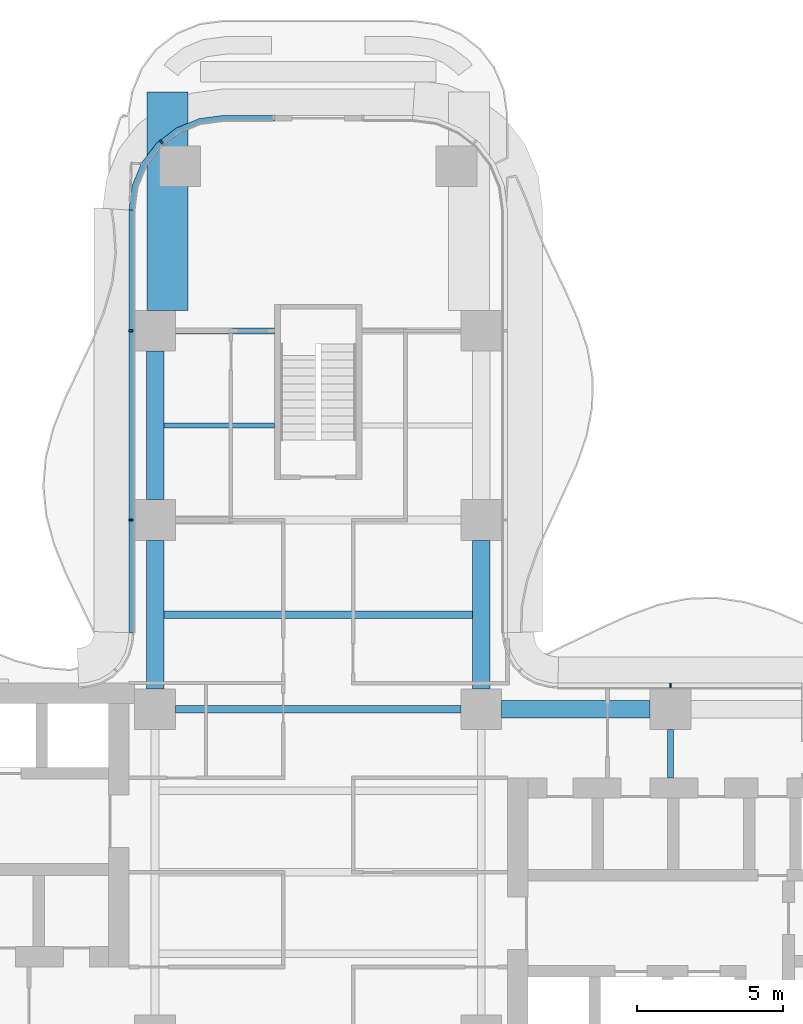
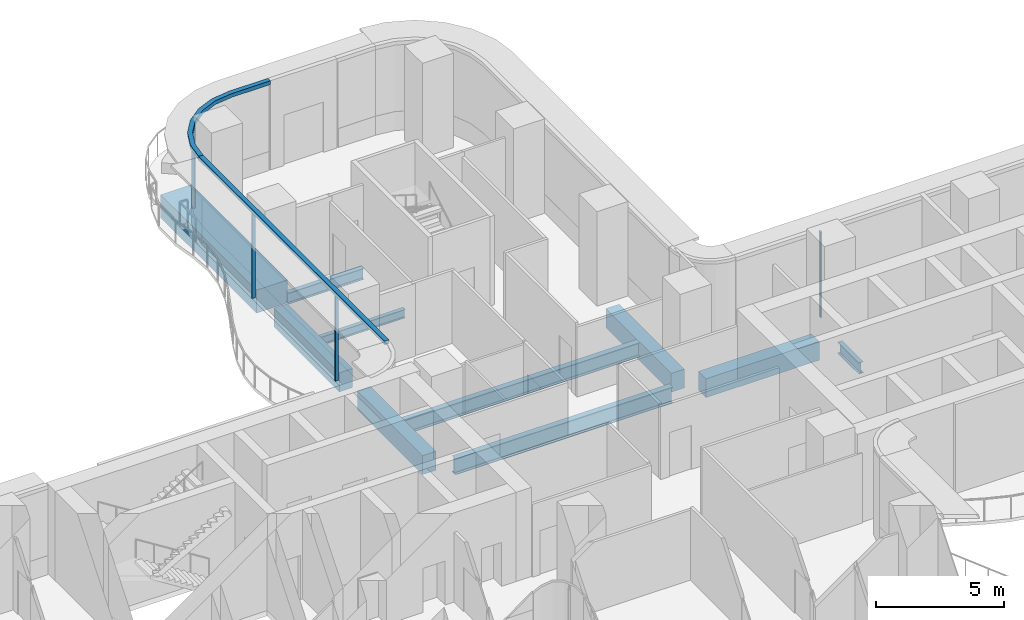
# One storey, part 9 of 22: 10 beams, 6 members, 3 elements without a shape of their own.
"""IFC4 building model written with IfcOpenShell, lengths in metres."""

from ifc_helpers import new_model, si_unit, direction, frame, origin, origin_2d, place, context, subcontext, project, spatial, polyline, rectangle, i_section, outline, extrude, source, transform, mapped, material, layer, layer_set, material_profile, profile_set, type_object, element, aggregate, save


model = new_model("IFC4")

# Units and contexts
model_context = context("Model", 3, precision=1e-05, world=origin(), true_north=direction((0.0, 1.0)))
body_context = subcontext(model_context, "Body", "Model", "MODEL_VIEW")
ifc_project = project(units=[si_unit("LENGTHUNIT", "METRE"), si_unit("AREAUNIT", "SQUARE_METRE"), si_unit("VOLUMEUNIT", "CUBIC_METRE"), si_unit("PLANEANGLEUNIT", "RADIAN"), si_unit("MASSUNIT", "GRAM", prefix="KILO")], contexts=[model_context])

# Site, building, storey
site_placement = place(None, origin())
site = spatial("IfcSite", under=ifc_project, at=site_placement, CompositionType="ELEMENT")
building_placement = place(site_placement, origin())
building = spatial("IfcBuilding", under=site, at=building_placement, Name="Trellis Farm Tower", CompositionType="ELEMENT")
storey_placement = place(building_placement, frame((0.0, 0.0, 61.0)))
storey = spatial("IfcBuildingStorey", under=building, at=storey_placement, Name="L12", CompositionType="ELEMENT", Elevation=61.0)

# Beams
ifc_material_1 = material(Name="Steel S355", Category="steel")
ifc_material_profile_1 = material_profile(ifc_material_1, i_section(OverallWidth=0.209228515625, OverallDepth=0.533203125, WebThickness=0.010009765625, FlangeThickness=0.015625, FilletRadius=0.0126953125, at=origin_2d()), Name="UB 533x210x92")
ifc_profile_set_1 = profile_set([ifc_material_profile_1], Name="Steel S355")
beam_type_1 = type_object("IfcBeamType", Name="UB 533x210x92", PredefinedType="BEAM", material=ifc_profile_set_1)
shared_shape_1 = source(origin(), body_context, "Body", "SweptSolid", [
    extrude(i_section(OverallWidth=0.209228515625, OverallDepth=0.533203125, WebThickness=0.010009765625, FlangeThickness=0.015625, FilletRadius=0.0126953125, at=origin_2d()), origin(), (0.0, 0.0, 1.0), 3.39990234375),
])
beam_1_placement = place(storey_placement, frame((-4.89990234375, 18.60009765625, -0.5166015625), z_axis=(1.0, 0.0, 0.0), x_axis=(0.0, 1.0, 0.0)))
element("IfcBeam", 1, at=beam_1_placement, inside=storey, type_object=beam_type_1, Name="Girder", PredefinedType="BEAM", context=body_context, shape_type="MappedRepresentation", body=[
    mapped(shared_shape_1, transform((0.0, 0.0, 0.0))),
])
ifc_material_2 = material(Name="Concrete C60/75", Category="concrete")
ifc_material_profile_2 = material_profile(ifc_material_2, rectangle(XDim=0.60009765625, YDim=0.89990234375, at=origin_2d()), Name="RC spandrel beam 600x900 C60/75")
ifc_profile_set_2 = profile_set([ifc_material_profile_2], Name="Concrete C60/75")
beam_type_2 = type_object("IfcBeamType", Name="RC spandrel beam 600x900 C60/75", PredefinedType="SPANDREL", material=ifc_profile_set_2)
shared_shape_2 = source(origin(), body_context, "Body", "SweptSolid", [
    extrude(rectangle(XDim=0.60009765625, YDim=0.89990234375, at=origin_2d()), origin(), (0.0, 0.0, 1.0), 5.099853515625),
])
for number, where, z_axis, x_axis, name in (
    (2, (6.300048828125, 5.60009765625, -0.699951171875), (1.0, 0.0, 0.0), (0.0, 1.0, 0.0), "Girder"),
    (3, (-5.60009765625, 6.300048828125, -0.699951171875), (0.0, 1.0, 0.0), (-1.0, 0.0, 0.0), "Girder"),
    (4, (-5.60009765625, 12.800048828125, -0.699951171875), (0.0, 1.0, 0.0), (-1.0, 0.0, 0.0), "Girder"),
    (5, (5.60009765625, 6.300048828125, -0.699951171875), (0.0, 1.0, 0.0), (-1.0, 0.0, 0.0), "Girder"),
):
    element("IfcBeam", number, at=place(storey_placement, frame(where, z_axis=z_axis, x_axis=x_axis)), inside=storey, type_object=beam_type_2, Name=name, PredefinedType="SPANDREL", context=body_context, shape_type="MappedRepresentation", body=[
        mapped(shared_shape_2, transform((0.0, 0.0, 0.0))),
    ])
ifc_material_profile_3 = material_profile(ifc_material_1, i_section(OverallWidth=0.2666015625, OverallDepth=0.76220703125, WebThickness=0.014404296875, FlangeThickness=0.021484375, FilletRadius=0.0166015625, at=origin_2d()), Name="UB 762x267x173")
ifc_profile_set_3 = profile_set([ifc_material_profile_3], Name="Steel S355")
beam_type_3 = type_object("IfcBeamType", Name="UB 762x267x173", PredefinedType="BEAM", material=ifc_profile_set_3)
shared_shape_3 = source(origin(), body_context, "Body", "SweptSolid", [
    extrude(i_section(OverallWidth=0.2666015625, OverallDepth=0.76220703125, WebThickness=0.014404296875, FlangeThickness=0.021484375, FilletRadius=0.0166015625, at=origin_2d()), origin(), (0.0, 0.0, 1.0), 9.7998046875),
])
beam_2_placement = place(storey_placement, frame((-4.89990234375, 5.60009765625, -0.631103515625), z_axis=(1.0, 0.0, 0.0), x_axis=(0.0, 1.0, 0.0)))
element("IfcBeam", 6, at=beam_2_placement, inside=storey, type_object=beam_type_3, Name="Girder", PredefinedType="BEAM", context=body_context, shape_type="MappedRepresentation", body=[
    mapped(shared_shape_3, transform((0.0, 0.0, 0.0))),
])
shared_shape_4 = source(origin(), body_context, "Body", "SweptSolid", [
    extrude(i_section(OverallWidth=0.209228515625, OverallDepth=0.533203125, WebThickness=0.010009765625, FlangeThickness=0.015625, FilletRadius=0.0126953125, at=origin_2d()), origin(), (0.0, 0.0, 1.0), 1.64990234375),
])
beam_3_placement = place(storey_placement, frame((12.10009765625, 3.25, -0.5166015625), z_axis=(0.0, 1.0, 0.0), x_axis=(-1.0, 0.0, 0.0)))
element("IfcBeam", 7, at=beam_3_placement, inside=storey, type_object=beam_type_1, Name="Girder", PredefinedType="BEAM", context=body_context, shape_type="MappedRepresentation", body=[
    mapped(shared_shape_4, transform((0.0, 0.0, 0.0))),
])
ifc_material_profile_4 = material_profile(ifc_material_1, i_section(OverallWidth=0.177978515625, OverallDepth=0.406494140625, WebThickness=0.0078125, FlangeThickness=0.0126953125, FilletRadius=0.01025390625, at=origin_2d()), Name="UB 406x178x60")
ifc_profile_set_4 = profile_set([ifc_material_profile_4], Name="Steel S355")
beam_type_4 = type_object("IfcBeamType", Name="UB 406x178x60 joist", PredefinedType="JOIST", material=ifc_profile_set_4)
shared_shape_5 = source(origin(), body_context, "Body", "SweptSolid", [
    extrude(i_section(OverallWidth=0.177978515625, OverallDepth=0.406494140625, WebThickness=0.0078125, FlangeThickness=0.0126953125, FilletRadius=0.01025390625, at=origin_2d()), origin(), (0.0, 0.0, 1.0), 3.800048828125),
])
beam_4_placement = place(storey_placement, frame((-5.300048828125, 15.35009765625, -0.453125), z_axis=(1.0, 0.0, 0.0), x_axis=(0.0, 1.0, 0.0)))
element("IfcBeam", 8, at=beam_4_placement, inside=storey, type_object=beam_type_4, Name="Floor beam", PredefinedType="JOIST", context=body_context, shape_type="MappedRepresentation", body=[
    mapped(shared_shape_5, transform((0.0, 0.0, 0.0))),
])
ifc_material_profile_5 = material_profile(ifc_material_1, i_section(OverallWidth=0.253662109375, OverallDepth=0.68359375, WebThickness=0.012451171875, FlangeThickness=0.021728515625, FilletRadius=0.01513671875, at=origin_2d()), Name="UB 686x254x140")
ifc_profile_set_5 = profile_set([ifc_material_profile_5], Name="Steel S355")
beam_type_5 = type_object("IfcBeamType", Name="UB 686x254x140 joist", PredefinedType="JOIST", material=ifc_profile_set_5)
shared_shape_6 = source(origin(), body_context, "Body", "SweptSolid", [
    extrude(i_section(OverallWidth=0.253662109375, OverallDepth=0.68359375, WebThickness=0.012451171875, FlangeThickness=0.021728515625, FilletRadius=0.01513671875, at=origin_2d()), origin(), (0.0, 0.0, 1.0), 10.60009765625),
])
beam_5_placement = place(storey_placement, frame((-5.300048828125, 8.85009765625, -0.591796875), z_axis=(1.0, 0.0, 0.0), x_axis=(0.0, 1.0, 0.0)))
element("IfcBeam", 9, at=beam_5_placement, inside=storey, type_object=beam_type_5, Name="Floor beam", PredefinedType="JOIST", context=body_context, shape_type="MappedRepresentation", body=[
    mapped(shared_shape_6, transform((0.0, 0.0, 0.0))),
])
ifc_material_3 = material(Name="Concrete C80/95", Category="concrete")
ifc_material_profile_6 = material_profile(ifc_material_3, rectangle(XDim=1.39990234375, YDim=1.10009765625, at=origin_2d()), Name="RC transfer beam 1400x1100 C80/95")
ifc_profile_set_6 = profile_set([ifc_material_profile_6], Name="Concrete C80/95")
beam_type_6 = type_object("IfcBeamType", Name="RC transfer beam 1400x1100 C80/95", PredefinedType="BEAM", material=ifc_profile_set_6)
shared_shape_7 = source(origin(), body_context, "Body", "SweptSolid", [
    extrude(rectangle(XDim=1.39990234375, YDim=1.10009765625, at=origin_2d()), origin(), (0.0, 0.0, 1.0), 7.5),
])
beam_6_placement = place(storey_placement, frame((-5.175048828125, 19.300048828125, -0.800048828125), z_axis=(0.0, 1.0, 0.0), x_axis=(-1.0, 0.0, 0.0)))
element("IfcBeam", 10, at=beam_6_placement, inside=storey, type_object=beam_type_6, Name="Transfer girder", PredefinedType="BEAM", context=body_context, shape_type="MappedRepresentation", body=[
    mapped(shared_shape_7, transform((0.0, 0.0, 0.0))),
])

# Curtain wall, member
ifc_material_4 = material(Name="Aluminium and glass curtain wall", Category="aluminium")
ifc_layer_1 = layer(ifc_material_4, 0.18994140625)
ifc_layer_set_1 = layer_set([ifc_layer_1], Name="RIBBON CURTAIN WALL CW1")
curtain_wall_type = type_object("IfcCurtainWallType", Name="RIBBON CURTAIN WALL CW1", PredefinedType="NOTDEFINED", material=ifc_layer_set_1)
placement_1 = place(storey_placement, origin())
curtain_wall_1 = element("IfcCurtainWall", 11, at=placement_1, inside=storey, type_object=curtain_wall_type, Name="CW1 008", PredefinedType="NOTDEFINED")
ifc_material_5 = material(Name="Aluminium extrusion 6063-T6", Category="aluminium")
ifc_material_profile_7 = material_profile(ifc_material_5, rectangle(XDim=0.06005859375, YDim=0.14990234375, at=origin_2d()), Name="MULLION 60x150")
ifc_profile_set_7 = profile_set([ifc_material_profile_7], Name="Aluminium extrusion 6063-T6")
member_type_1 = type_object("IfcMemberType", Name="CW1 MULLION 60x150", PredefinedType="MULLION", material=ifc_profile_set_7)
shared_shape_8 = source(origin(), body_context, "Body", "SweptSolid", [
    extrude(rectangle(XDim=0.06005859375, YDim=0.14990234375, at=origin_2d()), origin(), (0.0, 0.0, 1.0), 4.070068359375),
])
member_1_placement = place(storey_placement, frame((12.10009765625, 6.425048828125, 0.0), z_axis=(0.0, 0.0, 1.0), x_axis=(-1.0, 0.0, 0.0)))
member_1 = element("IfcMember", 12, at=member_1_placement, type_object=member_type_1, Name="MU1 008-03", PredefinedType="MULLION", context=body_context, shape_type="MappedRepresentation", body=[
    mapped(shared_shape_8, transform((0.0, 0.0, 0.0))),
])
aggregate(curtain_wall_1, [member_1])

curtain_wall_2 = element("IfcCurtainWall", 13, at=placement_1, inside=storey, type_object=curtain_wall_type, Name="CW1 011", PredefinedType="NOTDEFINED")
member_2_placement = place(storey_placement, frame((-5.385498046875, 25.078369140625, 0.0), z_axis=(0.0, 0.0, 1.0), x_axis=(-0.793353340291, -0.608761429009, 0.0)))
member_2 = element("IfcMember", 14, at=member_2_placement, type_object=member_type_1, Name="MU1 011-02", PredefinedType="MULLION", context=body_context, shape_type="MappedRepresentation", body=[
    mapped(shared_shape_8, transform((0.0, 0.0, 0.0))),
])

# Curtain wall, members
curtain_wall_3 = element("IfcCurtainWall", 15, at=placement_1, inside=storey, type_object=curtain_wall_type, Name="CW1 012", PredefinedType="NOTDEFINED")
member_3_placement = place(storey_placement, frame((-6.425048828125, 18.60009765625, 0.0), z_axis=(0.0, 0.0, 1.0), x_axis=(0.0, -1.0, 0.0)))
member_3 = element("IfcMember", 16, at=member_3_placement, type_object=member_type_1, Name="MU1 012-01", PredefinedType="MULLION", context=body_context, shape_type="MappedRepresentation", body=[
    mapped(shared_shape_8, transform((0.0, 0.0, 0.0))),
])
member_4_placement = place(storey_placement, frame((-6.425048828125, 12.10009765625, 0.0), z_axis=(0.0, 0.0, 1.0), x_axis=(0.0, -1.0, 0.0)))
member_4 = element("IfcMember", 17, at=member_4_placement, type_object=member_type_1, Name="MU1 012-02", PredefinedType="MULLION", context=body_context, shape_type="MappedRepresentation", body=[
    mapped(shared_shape_8, transform((0.0, 0.0, 0.0))),
])
ifc_layer_2 = layer(ifc_material_5, 0.199951171875)
ifc_layer_set_2 = layer_set([ifc_layer_2], Name="Aluminium extrusion 6063-T6")
member_type_2 = type_object("IfcMemberType", Name="CW1 TRANSOM 200x180", PredefinedType="USERDEFINED", material=ifc_layer_set_2)
shared_shape_9 = source(origin(), body_context, "Body", "SweptSolid", [
    extrude(outline(polyline([(-6.5, 22.75), (-6.5, 8.2314453125), (-6.300048828125, 8.224853515625), (-6.300048828125, 22.73681640625), (-6.5, 22.75)])), origin(), (0.0, 0.0, 1.0), 0.179931640625),
])
placement_2 = place(storey_placement, frame((0.0, 0.0, 4.070068359375)))
member_5 = element("IfcMember", 18, at=placement_2, type_object=member_type_2, Name="TR1 012", ObjectType="TRANSOM", PredefinedType="USERDEFINED", context=body_context, shape_type="MappedRepresentation", body=[
    mapped(shared_shape_9, transform((0.0, 0.0, 0.0))),
])
aggregate(curtain_wall_3, [member_3, member_4, member_5])

# Member
shared_shape_10 = source(origin(), body_context, "Body", "SweptSolid", [
    extrude(outline(polyline([(-1.5, 26.0), (-3.25, 26.0), (-4.091064453125, 25.88916015625), (-4.875, 25.564697265625), (-5.548095703125, 25.048095703125), (-6.064697265625, 24.375), (-6.38916015625, 23.591064453125), (-6.5, 22.75), (-6.300048828125, 22.73681640625), (-6.1943359375, 23.5390625), (-5.889892578125, 24.274169921875), (-5.405517578125, 24.905517578125), (-4.774169921875, 25.389892578125), (-4.0390625, 25.6943359375), (-3.23681640625, 25.800048828125), (-1.5, 25.800048828125), (-1.5, 26.0)])), origin(), (0.0, 0.0, 1.0), 0.179931640625),
])
member_6 = element("IfcMember", 19, at=placement_2, type_object=member_type_2, Name="TR1 011", ObjectType="TRANSOM", PredefinedType="USERDEFINED", context=body_context, shape_type="MappedRepresentation", body=[
    mapped(shared_shape_10, transform((0.0, 0.0, 0.0))),
])

aggregate(curtain_wall_2, [member_2, member_6])

save(model, "model.ifc")
